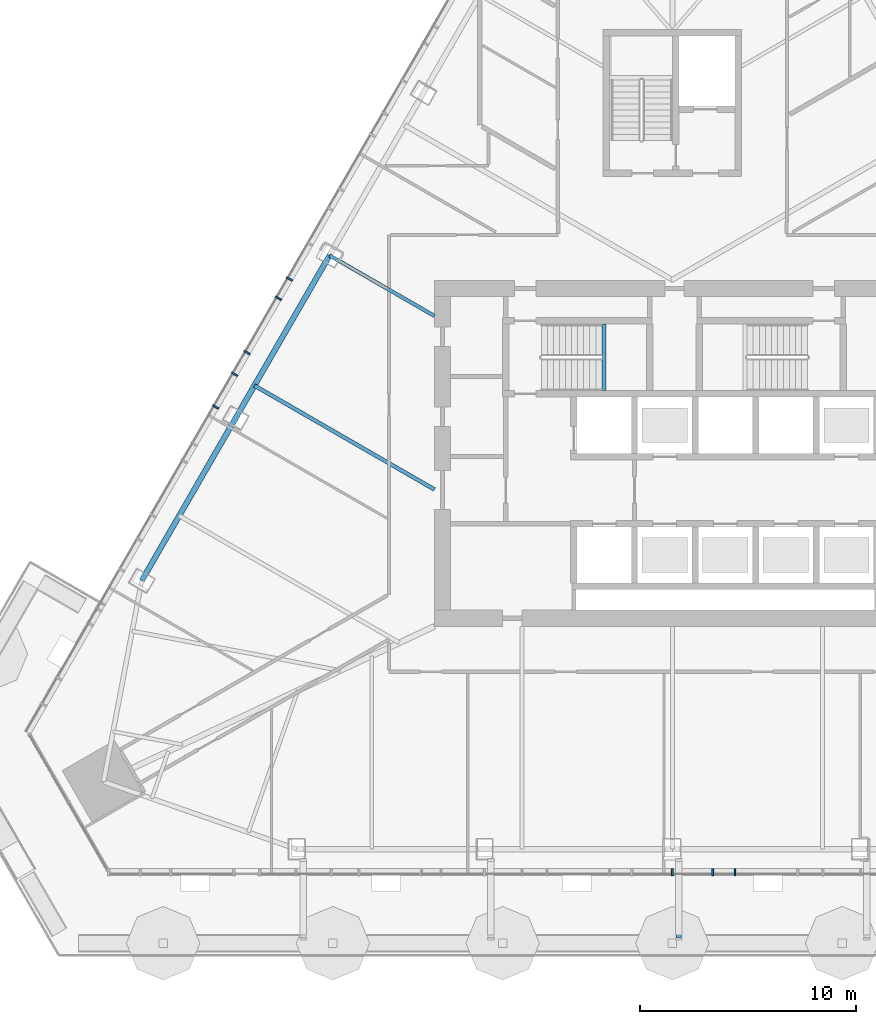
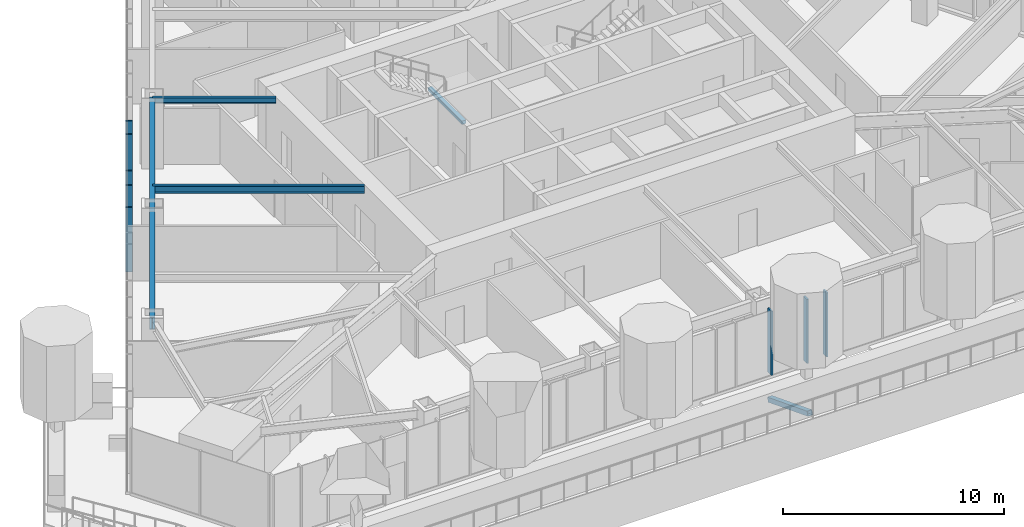
# One storey, part 3 of 24: 9 members, 4 beams, 2 elements without a shape of their own.
"""IFC4 building model written with IfcOpenShell, lengths in metres."""

from ifc_helpers import new_model, si_unit, direction, frame, origin, origin_2d, place, context, subcontext, project, spatial, rectangle, hollow_rectangle, i_section, extrude, material, layer, layer_set, material_profile, profile_set, type_object, element, aggregate, save


model = new_model("IFC4")

# Units and contexts
model_context = context("Model", 3, precision=1e-05, world=origin(), true_north=direction((0.0, 1.0)))
body_context = subcontext(model_context, "Body", "Model", "MODEL_VIEW")
ifc_project = project(units=[si_unit("LENGTHUNIT", "METRE"), si_unit("AREAUNIT", "SQUARE_METRE"), si_unit("VOLUMEUNIT", "CUBIC_METRE"), si_unit("PLANEANGLEUNIT", "RADIAN"), si_unit("MASSUNIT", "GRAM", prefix="KILO")], contexts=[model_context])

# Site, building, storey
site_placement = place(None, origin())
site = spatial("IfcSite", under=ifc_project, at=site_placement, CompositionType="ELEMENT")
building_placement = place(site_placement, origin())
building = spatial("IfcBuilding", under=site, at=building_placement, Name="Firuza Gate Tower and Library", CompositionType="ELEMENT")
storey_placement = place(building_placement, frame((0.0, 0.0, 194.800048828125)))
storey = spatial("IfcBuildingStorey", under=building, at=storey_placement, Name="L45", CompositionType="ELEMENT", Elevation=194.800048828125)

# Curtain wall, members
ifc_material_1 = material(Name="Aluminium 6063-T6", Category="aluminium")
ifc_layer = layer(ifc_material_1, 0.14990234375)
ifc_layer_set = layer_set([ifc_layer], Name="Unitised curtain wall, hotel")
curtain_wall_type = type_object("IfcCurtainWallType", Name="Unitised curtain wall, hotel", PredefinedType="NOTDEFINED", material=ifc_layer_set)
placement = place(storey_placement, origin())
curtain_wall_1 = element("IfcCurtainWall", 1, at=placement, inside=storey, type_object=curtain_wall_type, Name="CW2 L45 S face", PredefinedType="NOTDEFINED")
ifc_material_2 = material(Name="Aluminium 6063-T6", Category="aluminium")
ifc_material_profile_1 = material_profile(ifc_material_2, rectangle(XDim=0.320068359375, YDim=0.080078125, at=origin_2d()))
ifc_profile_set_1 = profile_set([ifc_material_profile_1], Name="Aluminium 6063-T6")
member_type_1 = type_object("IfcMemberType", Name="Curtain wall mullion 80x320", PredefinedType="MULLION", material=ifc_profile_set_1)
member_1_placement = place(storey_placement, frame((75.0, 55.638916015625, 0.14990234375), z_axis=(0.0, 0.0, 1.0), x_axis=(0.0, 1.0, 0.0)))
member_1 = element("IfcMember", 2, at=member_1_placement, type_object=member_type_1, Name="Mullion", PredefinedType="MULLION", context=body_context, shape_type="SweptSolid", body=[
    extrude(rectangle(XDim=0.320068359375, YDim=0.080078125, at=origin_2d()), origin(), (0.0, 0.0, 1.0), 3.550048828125),
])
member_2_placement = place(storey_placement, frame((77.900146484375, 55.638916015625, 0.14990234375), z_axis=(0.0, 0.0, 1.0), x_axis=(0.0, 1.0, 0.0)))
member_2 = element("IfcMember", 3, at=member_2_placement, type_object=member_type_1, Name="Mullion", PredefinedType="MULLION", context=body_context, shape_type="SweptSolid", body=[
    extrude(rectangle(XDim=0.320068359375, YDim=0.080078125, at=origin_2d()), origin(), (0.0, 0.0, 1.0), 3.550048828125),
])
member_3_placement = place(storey_placement, frame((76.8720703125, 55.638916015625, 0.14990234375), z_axis=(0.0, 0.0, 1.0), x_axis=(0.0, 1.0, 0.0)))
member_3 = element("IfcMember", 4, at=member_3_placement, type_object=member_type_1, Name="Mullion", PredefinedType="MULLION", context=body_context, shape_type="SweptSolid", body=[
    extrude(rectangle(XDim=0.320068359375, YDim=0.080078125, at=origin_2d()), origin(), (0.0, 0.0, 1.0), 3.550048828125),
])
aggregate(curtain_wall_1, [member_1, member_2, member_3])

curtain_wall_2 = element("IfcCurtainWall", 5, at=placement, inside=storey, type_object=curtain_wall_type, Name="CW2 L45 W face", PredefinedType="NOTDEFINED")
member_4_placement = place(storey_placement, frame((56.78271484375, 82.1689453125, 0.14990234375), z_axis=(0.0, 0.0, 1.0), x_axis=(0.866025403784, -0.5, 0.0)))
member_4 = element("IfcMember", 6, at=member_4_placement, type_object=member_type_1, Name="Mullion", PredefinedType="MULLION", context=body_context, shape_type="SweptSolid", body=[
    extrude(rectangle(XDim=0.320068359375, YDim=0.080078125, at=origin_2d()), origin(), (0.0, 0.0, 1.0), 3.550048828125),
])
member_5_placement = place(storey_placement, frame((55.332763671875, 79.657470703125, 0.14990234375), z_axis=(0.0, 0.0, 1.0), x_axis=(0.866025403784, -0.5, 0.0)))
member_5 = element("IfcMember", 7, at=member_5_placement, type_object=member_type_1, Name="Mullion", PredefinedType="MULLION", context=body_context, shape_type="SweptSolid", body=[
    extrude(rectangle(XDim=0.320068359375, YDim=0.080078125, at=origin_2d()), origin(), (0.0, 0.0, 1.0), 3.550048828125),
])
member_6_placement = place(storey_placement, frame((53.882568359375, 77.14599609375, 0.14990234375), z_axis=(0.0, 0.0, 1.0), x_axis=(0.866025403784, -0.5, 0.0)))
member_6 = element("IfcMember", 8, at=member_6_placement, type_object=member_type_1, Name="Mullion", PredefinedType="MULLION", context=body_context, shape_type="SweptSolid", body=[
    extrude(rectangle(XDim=0.320068359375, YDim=0.080078125, at=origin_2d()), origin(), (0.0, 0.0, 1.0), 3.550048828125),
])
member_7_placement = place(storey_placement, frame((57.296875, 83.059326171875, 0.14990234375), z_axis=(0.0, 0.0, 1.0), x_axis=(0.866025403784, -0.5, 0.0)))
member_7 = element("IfcMember", 9, at=member_7_placement, type_object=member_type_1, Name="Mullion", PredefinedType="MULLION", context=body_context, shape_type="SweptSolid", body=[
    extrude(rectangle(XDim=0.320068359375, YDim=0.080078125, at=origin_2d()), origin(), (0.0, 0.0, 1.0), 3.550048828125),
])
member_8_placement = place(storey_placement, frame((54.7568359375, 78.66015625, 0.14990234375), z_axis=(0.0, 0.0, 1.0), x_axis=(0.866025403784, -0.5, 0.0)))
member_8 = element("IfcMember", 10, at=member_8_placement, type_object=member_type_1, Name="Mullion", PredefinedType="MULLION", context=body_context, shape_type="SweptSolid", body=[
    extrude(rectangle(XDim=0.320068359375, YDim=0.080078125, at=origin_2d()), origin(), (0.0, 0.0, 1.0), 3.550048828125),
])
aggregate(curtain_wall_2, [member_4, member_5, member_6, member_7, member_8])

# Member
ifc_material_3 = material(Name="Steel S355", Category="steel")
ifc_material_profile_2 = material_profile(ifc_material_3, hollow_rectangle(XDim=0.25390625, YDim=0.25390625, WallThickness=0.01171875, at=origin_2d()))
ifc_profile_set_2 = profile_set([ifc_material_profile_2], Name="Steel S355")
member_type_2 = type_object("IfcMemberType", Name="HSS254x254x13 Tray strut", PredefinedType="BRACE", material=ifc_profile_set_2)
member_9_placement = place(storey_placement, frame((75.300048828125, 56.163818359375, -1.670166015625), z_axis=(0.0, -0.931986877569, 0.362492013758), x_axis=(1.0, 0.0, 0.0)))
element("IfcMember", 11, at=member_9_placement, inside=storey, type_object=member_type_2, Name="Tray strut L45 col:L44:S3", PredefinedType="BRACE", context=body_context, shape_type="SweptSolid", body=[
    extrude(hollow_rectangle(XDim=0.25390625, YDim=0.25390625, WallThickness=0.01171875, at=origin_2d()), origin(), (0.0, 0.0, 1.0), 3.862548828125),
])

# Beams
ifc_material_4 = material(Name="Concrete C35/45", Category="concrete")
ifc_material_profile_3 = material_profile(ifc_material_4, rectangle(XDim=0.199951171875, YDim=0.199951171875, at=origin_2d()))
ifc_profile_set_3 = profile_set([ifc_material_profile_3], Name="Concrete C35/45")
beam_type_1 = type_object("IfcBeamType", Name="Stair landing bearer 200x200", PredefinedType="BEAM", material=ifc_profile_set_3)
beam_1_placement = place(storey_placement, frame((71.840087890625, 77.89990234375, 1.64990234375), z_axis=(0.0, 1.0, 0.0), x_axis=(-1.0, 0.0, 0.0)))
element("IfcBeam", 12, at=beam_1_placement, inside=storey, type_object=beam_type_1, Name="Landing bearer L45 stair 1", PredefinedType="BEAM", context=body_context, shape_type="SweptSolid", body=[
    extrude(rectangle(XDim=0.199951171875, YDim=0.199951171875, at=origin_2d()), origin(), (0.0, 0.0, 1.0), 3.080078125),
])
ifc_material_5 = material(Name="Steel S355", Category="steel")
ifc_material_profile_4 = material_profile(ifc_material_5, i_section(OverallWidth=0.1650390625, OverallDepth=0.31005859375, WebThickness=0.005859375, FlangeThickness=0.009765625, at=origin_2d()))
ifc_profile_set_4 = profile_set([ifc_material_profile_4], Name="Steel S355")
beam_type_2 = type_object("IfcBeamType", Name="W310x39 Floor beam", PredefinedType="JOIST", material=ifc_profile_set_4)
beam_2_placement = place(storey_placement, frame((59.150634765625, 84.150634765625, 3.544921875), z_axis=(0.866023674378, -0.500002995407, 0.0), x_axis=(0.500002995407, 0.866023674378, 0.0)))
element("IfcBeam", 13, at=beam_2_placement, inside=storey, type_object=beam_type_2, Name="Floor beam L45 s82", PredefinedType="JOIST", context=body_context, shape_type="SweptSolid", body=[
    extrude(i_section(OverallWidth=0.1650390625, OverallDepth=0.31005859375, WebThickness=0.005859375, FlangeThickness=0.009765625, at=origin_2d()), origin(), (0.0, 0.0, 1.0), 5.599609375),
])
ifc_material_6 = material(Name="Steel S355", Category="steel")
ifc_material_profile_5 = material_profile(ifc_material_6, i_section(OverallWidth=0.177978515625, OverallDepth=0.406982421875, WebThickness=0.0078125, FlangeThickness=0.0126953125, at=origin_2d()))
ifc_profile_set_5 = profile_set([ifc_material_profile_5], Name="Steel S355")
beam_type_3 = type_object("IfcBeamType", Name="W410x60 Floor beam", PredefinedType="JOIST", material=ifc_profile_set_5)
beam_3_placement = place(storey_placement, frame((55.676513671875, 78.1328125, 3.496337890625), z_axis=(0.866021034044, -0.500007568537, 0.0), x_axis=(0.500007568537, 0.866021034044, 0.0)))
element("IfcBeam", 14, at=beam_3_placement, inside=storey, type_object=beam_type_3, Name="Floor beam L45 s83", PredefinedType="JOIST", context=body_context, shape_type="SweptSolid", body=[
    extrude(i_section(OverallWidth=0.177978515625, OverallDepth=0.406982421875, WebThickness=0.0078125, FlangeThickness=0.0126953125, at=origin_2d()), origin(), (0.0, 0.0, 1.0), 9.611083984375),
])
ifc_material_7 = material(Name="Steel S355", Category="steel")
ifc_material_profile_6 = material_profile(ifc_material_7, i_section(OverallWidth=0.2529296875, OverallDepth=0.677978515625, WebThickness=0.01171875, FlangeThickness=0.016357421875, at=origin_2d()))
ifc_profile_set_6 = profile_set([ifc_material_profile_6], Name="Steel S355")
beam_type_4 = type_object("IfcBeamType", Name="W690x125 Edge beam", PredefinedType="SPANDREL", material=ifc_profile_set_6)
beam_4_placement = place(storey_placement, frame((59.150634765625, 84.150634765625, 3.36083984375), z_axis=(-0.500001044169, -0.866024800932, 0.0), x_axis=(0.866024800932, -0.500001044169, 0.0)))
element("IfcBeam", 15, at=beam_4_placement, inside=storey, type_object=beam_type_4, Name="Edge beam L45 e82", PredefinedType="SPANDREL", context=body_context, shape_type="SweptSolid", body=[
    extrude(i_section(OverallWidth=0.2529296875, OverallDepth=0.677978515625, WebThickness=0.01171875, FlangeThickness=0.016357421875, at=origin_2d()), origin(), (0.0, 0.0, 1.0), 17.37158203125),
])

save(model, "model.ifc")
